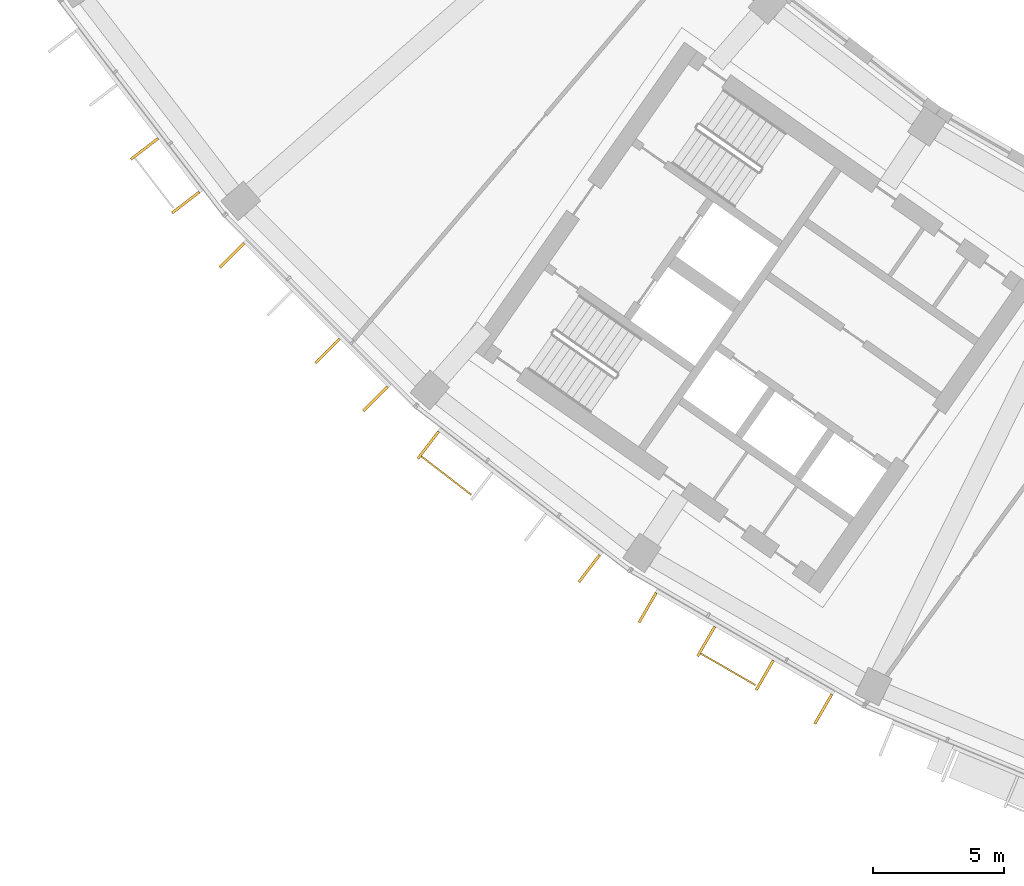
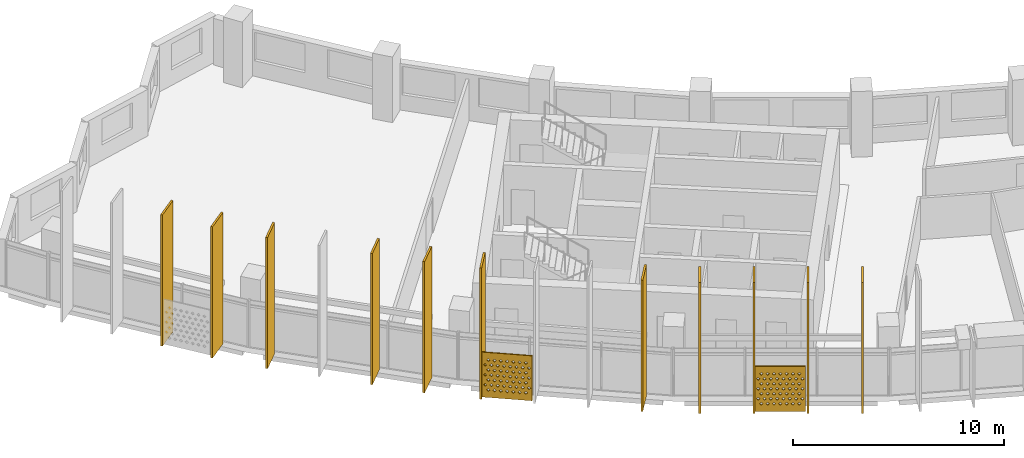
# One storey, part 22 of 28: 13 shading devices.
"""IFC4 building model written with IfcOpenShell, lengths in metres."""

from ifc_helpers import new_model, si_unit, direction, frame, origin, origin_2d, place, context, subcontext, project, spatial, polyline, rectangle, outline, extrude, material, material_profile, profile_set, type_object, element, save


model = new_model("IFC4")

# Units and contexts
model_context = context("Model", 3, precision=1e-05, world=origin(), true_north=direction((0.0, 1.0)))
body_context = subcontext(model_context, "Body", "Model", "MODEL_VIEW")
ifc_project = project(units=[si_unit("LENGTHUNIT", "METRE"), si_unit("AREAUNIT", "SQUARE_METRE"), si_unit("VOLUMEUNIT", "CUBIC_METRE"), si_unit("PLANEANGLEUNIT", "RADIAN"), si_unit("MASSUNIT", "GRAM", prefix="KILO")], contexts=[model_context])

# Site, building, storey
site_placement = place(None, origin())
site = spatial("IfcSite", under=ifc_project, at=site_placement, CompositionType="ELEMENT")
building_placement = place(site_placement, origin())
building = spatial("IfcBuilding", under=site, at=building_placement, Name="Qamariyya Broadcast Tower", CompositionType="ELEMENT")
storey_placement = place(building_placement, frame((0.0, 0.0, 226.5)))
storey = spatial("IfcBuildingStorey", under=building, at=storey_placement, Name="L54", CompositionType="ELEMENT", Elevation=226.5)

# Shading devices
ifc_material_1 = material(Name="Perforated glazed terracotta", Category="masonry")
ifc_material_profile_1 = material_profile(ifc_material_1, outline(polyline([(-1.199951171875, -1.300048828125), (1.199951171875, -1.300048828125), (1.199951171875, 1.300048828125), (-1.199951171875, 1.300048828125), (-1.199951171875, -1.300048828125)]), holes=[polyline([(-0.81494140625, -0.86669921875), (-0.89990234375, -0.78173828125), (-0.985107421875, -0.86669921875), (-0.89990234375, -0.95166015625), (-0.81494140625, -0.86669921875)]), polyline([(-0.514892578125, -0.86669921875), (-0.60009765625, -0.78173828125), (-0.68505859375, -0.86669921875), (-0.60009765625, -0.95166015625), (-0.514892578125, -0.86669921875)]), polyline([(-0.215087890625, -0.86669921875), (-0.300048828125, -0.78173828125), (-0.385009765625, -0.86669921875), (-0.300048828125, -0.95166015625), (-0.215087890625, -0.86669921875)]), polyline([(0.0849609375, -0.86669921875), (0.0, -0.78173828125), (-0.0849609375, -0.86669921875), (0.0, -0.95166015625), (0.0849609375, -0.86669921875)]), polyline([(0.385009765625, -0.86669921875), (0.300048828125, -0.78173828125), (0.215087890625, -0.86669921875), (0.300048828125, -0.95166015625), (0.385009765625, -0.86669921875)]), polyline([(0.68505859375, -0.86669921875), (0.60009765625, -0.78173828125), (0.514892578125, -0.86669921875), (0.60009765625, -0.95166015625), (0.68505859375, -0.86669921875)]), polyline([(0.985107421875, -0.86669921875), (0.89990234375, -0.78173828125), (0.81494140625, -0.86669921875), (0.89990234375, -0.95166015625), (0.985107421875, -0.86669921875)]), polyline([(-0.965087890625, -0.577880859375), (-1.050048828125, -0.49267578125), (-1.135009765625, -0.577880859375), (-1.050048828125, -0.662841796875), (-0.965087890625, -0.577880859375)]), polyline([(-0.6650390625, -0.577880859375), (-0.75, -0.49267578125), (-0.8349609375, -0.577880859375), (-0.75, -0.662841796875), (-0.6650390625, -0.577880859375)]), polyline([(-0.364990234375, -0.577880859375), (-0.449951171875, -0.49267578125), (-0.534912109375, -0.577880859375), (-0.449951171875, -0.662841796875), (-0.364990234375, -0.577880859375)]), polyline([(-0.06494140625, -0.577880859375), (-0.14990234375, -0.49267578125), (-0.235107421875, -0.577880859375), (-0.14990234375, -0.662841796875), (-0.06494140625, -0.577880859375)]), polyline([(0.235107421875, -0.577880859375), (0.14990234375, -0.49267578125), (0.06494140625, -0.577880859375), (0.14990234375, -0.662841796875), (0.235107421875, -0.577880859375)]), polyline([(0.534912109375, -0.577880859375), (0.449951171875, -0.49267578125), (0.364990234375, -0.577880859375), (0.449951171875, -0.662841796875), (0.534912109375, -0.577880859375)]), polyline([(0.8349609375, -0.577880859375), (0.75, -0.49267578125), (0.6650390625, -0.577880859375), (0.75, -0.662841796875), (0.8349609375, -0.577880859375)]), polyline([(1.135009765625, -0.577880859375), (1.050048828125, -0.49267578125), (0.965087890625, -0.577880859375), (1.050048828125, -0.662841796875), (1.135009765625, -0.577880859375)]), polyline([(-0.81494140625, -0.288818359375), (-0.89990234375, -0.203857421875), (-0.985107421875, -0.288818359375), (-0.89990234375, -0.373779296875), (-0.81494140625, -0.288818359375)]), polyline([(-0.514892578125, -0.288818359375), (-0.60009765625, -0.203857421875), (-0.68505859375, -0.288818359375), (-0.60009765625, -0.373779296875), (-0.514892578125, -0.288818359375)]), polyline([(-0.215087890625, -0.288818359375), (-0.300048828125, -0.203857421875), (-0.385009765625, -0.288818359375), (-0.300048828125, -0.373779296875), (-0.215087890625, -0.288818359375)]), polyline([(0.0849609375, -0.288818359375), (0.0, -0.203857421875), (-0.0849609375, -0.288818359375), (0.0, -0.373779296875), (0.0849609375, -0.288818359375)]), polyline([(0.385009765625, -0.288818359375), (0.300048828125, -0.203857421875), (0.215087890625, -0.288818359375), (0.300048828125, -0.373779296875), (0.385009765625, -0.288818359375)]), polyline([(0.68505859375, -0.288818359375), (0.60009765625, -0.203857421875), (0.514892578125, -0.288818359375), (0.60009765625, -0.373779296875), (0.68505859375, -0.288818359375)]), polyline([(0.985107421875, -0.288818359375), (0.89990234375, -0.203857421875), (0.81494140625, -0.288818359375), (0.89990234375, -0.373779296875), (0.985107421875, -0.288818359375)]), polyline([(-0.965087890625, 0.0), (-1.050048828125, 0.0849609375), (-1.135009765625, 0.0), (-1.050048828125, -0.0849609375), (-0.965087890625, 0.0)]), polyline([(-0.6650390625, 0.0), (-0.75, 0.0849609375), (-0.8349609375, 0.0), (-0.75, -0.0849609375), (-0.6650390625, 0.0)]), polyline([(-0.364990234375, 0.0), (-0.449951171875, 0.0849609375), (-0.534912109375, 0.0), (-0.449951171875, -0.0849609375), (-0.364990234375, 0.0)]), polyline([(-0.06494140625, 0.0), (-0.14990234375, 0.0849609375), (-0.235107421875, 0.0), (-0.14990234375, -0.0849609375), (-0.06494140625, 0.0)]), polyline([(0.235107421875, 0.0), (0.14990234375, 0.0849609375), (0.06494140625, 0.0), (0.14990234375, -0.0849609375), (0.235107421875, 0.0)]), polyline([(0.534912109375, 0.0), (0.449951171875, 0.0849609375), (0.364990234375, 0.0), (0.449951171875, -0.0849609375), (0.534912109375, 0.0)]), polyline([(0.8349609375, 0.0), (0.75, 0.0849609375), (0.6650390625, 0.0), (0.75, -0.0849609375), (0.8349609375, 0.0)]), polyline([(1.135009765625, 0.0), (1.050048828125, 0.0849609375), (0.965087890625, 0.0), (1.050048828125, -0.0849609375), (1.135009765625, 0.0)]), polyline([(-0.81494140625, 0.288818359375), (-0.89990234375, 0.373779296875), (-0.985107421875, 0.288818359375), (-0.89990234375, 0.203857421875), (-0.81494140625, 0.288818359375)]), polyline([(-0.514892578125, 0.288818359375), (-0.60009765625, 0.373779296875), (-0.68505859375, 0.288818359375), (-0.60009765625, 0.203857421875), (-0.514892578125, 0.288818359375)]), polyline([(-0.215087890625, 0.288818359375), (-0.300048828125, 0.373779296875), (-0.385009765625, 0.288818359375), (-0.300048828125, 0.203857421875), (-0.215087890625, 0.288818359375)]), polyline([(0.0849609375, 0.288818359375), (0.0, 0.373779296875), (-0.0849609375, 0.288818359375), (0.0, 0.203857421875), (0.0849609375, 0.288818359375)]), polyline([(0.385009765625, 0.288818359375), (0.300048828125, 0.373779296875), (0.215087890625, 0.288818359375), (0.300048828125, 0.203857421875), (0.385009765625, 0.288818359375)]), polyline([(0.68505859375, 0.288818359375), (0.60009765625, 0.373779296875), (0.514892578125, 0.288818359375), (0.60009765625, 0.203857421875), (0.68505859375, 0.288818359375)]), polyline([(0.985107421875, 0.288818359375), (0.89990234375, 0.373779296875), (0.81494140625, 0.288818359375), (0.89990234375, 0.203857421875), (0.985107421875, 0.288818359375)]), polyline([(-0.965087890625, 0.577880859375), (-1.050048828125, 0.662841796875), (-1.135009765625, 0.577880859375), (-1.050048828125, 0.49267578125), (-0.965087890625, 0.577880859375)]), polyline([(-0.6650390625, 0.577880859375), (-0.75, 0.662841796875), (-0.8349609375, 0.577880859375), (-0.75, 0.49267578125), (-0.6650390625, 0.577880859375)]), polyline([(-0.364990234375, 0.577880859375), (-0.449951171875, 0.662841796875), (-0.534912109375, 0.577880859375), (-0.449951171875, 0.49267578125), (-0.364990234375, 0.577880859375)]), polyline([(-0.06494140625, 0.577880859375), (-0.14990234375, 0.662841796875), (-0.235107421875, 0.577880859375), (-0.14990234375, 0.49267578125), (-0.06494140625, 0.577880859375)]), polyline([(0.235107421875, 0.577880859375), (0.14990234375, 0.662841796875), (0.06494140625, 0.577880859375), (0.14990234375, 0.49267578125), (0.235107421875, 0.577880859375)]), polyline([(0.534912109375, 0.577880859375), (0.449951171875, 0.662841796875), (0.364990234375, 0.577880859375), (0.449951171875, 0.49267578125), (0.534912109375, 0.577880859375)]), polyline([(0.8349609375, 0.577880859375), (0.75, 0.662841796875), (0.6650390625, 0.577880859375), (0.75, 0.49267578125), (0.8349609375, 0.577880859375)]), polyline([(1.135009765625, 0.577880859375), (1.050048828125, 0.662841796875), (0.965087890625, 0.577880859375), (1.050048828125, 0.49267578125), (1.135009765625, 0.577880859375)]), polyline([(-0.81494140625, 0.86669921875), (-0.89990234375, 0.95166015625), (-0.985107421875, 0.86669921875), (-0.89990234375, 0.78173828125), (-0.81494140625, 0.86669921875)]), polyline([(-0.514892578125, 0.86669921875), (-0.60009765625, 0.95166015625), (-0.68505859375, 0.86669921875), (-0.60009765625, 0.78173828125), (-0.514892578125, 0.86669921875)]), polyline([(-0.215087890625, 0.86669921875), (-0.300048828125, 0.95166015625), (-0.385009765625, 0.86669921875), (-0.300048828125, 0.78173828125), (-0.215087890625, 0.86669921875)]), polyline([(0.0849609375, 0.86669921875), (0.0, 0.95166015625), (-0.0849609375, 0.86669921875), (0.0, 0.78173828125), (0.0849609375, 0.86669921875)]), polyline([(0.385009765625, 0.86669921875), (0.300048828125, 0.95166015625), (0.215087890625, 0.86669921875), (0.300048828125, 0.78173828125), (0.385009765625, 0.86669921875)]), polyline([(0.68505859375, 0.86669921875), (0.60009765625, 0.95166015625), (0.514892578125, 0.86669921875), (0.60009765625, 0.78173828125), (0.68505859375, 0.86669921875)]), polyline([(0.985107421875, 0.86669921875), (0.89990234375, 0.95166015625), (0.81494140625, 0.86669921875), (0.89990234375, 0.78173828125), (0.985107421875, 0.86669921875)])]))
ifc_profile_set_1 = profile_set([ifc_material_profile_1], Name="Perforated glazed terracotta")
shading_device_type_1 = type_object("IfcShadingDeviceType", Name="Perforated terracotta screen 2400 x 2600", PredefinedType="USERDEFINED", material=ifc_profile_set_1)
shading_device_1_placement = place(storey_placement, frame((-50.61865234375, -61.68359375, 1.35009765625), z_axis=(-0.60971076085, -0.792623989105, 0.0), x_axis=(0.792623989105, -0.60971076085, 0.0)))
element("IfcShadingDevice", 1, at=shading_device_1_placement, inside=storey, type_object=shading_device_type_1, Name="e-scr-L54-03-0", ObjectType="SCREEN", PredefinedType="USERDEFINED", context=body_context, shape_type="SweptSolid", body=[
    extrude(outline(polyline([(-1.199951171875, -1.300048828125), (1.199951171875, -1.300048828125), (1.199951171875, 1.300048828125), (-1.199951171875, 1.300048828125), (-1.199951171875, -1.300048828125)]), holes=[polyline([(-0.81494140625, -0.86669921875), (-0.89990234375, -0.78173828125), (-0.985107421875, -0.86669921875), (-0.89990234375, -0.95166015625), (-0.81494140625, -0.86669921875)]), polyline([(-0.514892578125, -0.86669921875), (-0.60009765625, -0.78173828125), (-0.68505859375, -0.86669921875), (-0.60009765625, -0.95166015625), (-0.514892578125, -0.86669921875)]), polyline([(-0.215087890625, -0.86669921875), (-0.300048828125, -0.78173828125), (-0.385009765625, -0.86669921875), (-0.300048828125, -0.95166015625), (-0.215087890625, -0.86669921875)]), polyline([(0.0849609375, -0.86669921875), (0.0, -0.78173828125), (-0.0849609375, -0.86669921875), (0.0, -0.95166015625), (0.0849609375, -0.86669921875)]), polyline([(0.385009765625, -0.86669921875), (0.300048828125, -0.78173828125), (0.215087890625, -0.86669921875), (0.300048828125, -0.95166015625), (0.385009765625, -0.86669921875)]), polyline([(0.68505859375, -0.86669921875), (0.60009765625, -0.78173828125), (0.514892578125, -0.86669921875), (0.60009765625, -0.95166015625), (0.68505859375, -0.86669921875)]), polyline([(0.985107421875, -0.86669921875), (0.89990234375, -0.78173828125), (0.81494140625, -0.86669921875), (0.89990234375, -0.95166015625), (0.985107421875, -0.86669921875)]), polyline([(-0.965087890625, -0.577880859375), (-1.050048828125, -0.49267578125), (-1.135009765625, -0.577880859375), (-1.050048828125, -0.662841796875), (-0.965087890625, -0.577880859375)]), polyline([(-0.6650390625, -0.577880859375), (-0.75, -0.49267578125), (-0.8349609375, -0.577880859375), (-0.75, -0.662841796875), (-0.6650390625, -0.577880859375)]), polyline([(-0.364990234375, -0.577880859375), (-0.449951171875, -0.49267578125), (-0.534912109375, -0.577880859375), (-0.449951171875, -0.662841796875), (-0.364990234375, -0.577880859375)]), polyline([(-0.06494140625, -0.577880859375), (-0.14990234375, -0.49267578125), (-0.235107421875, -0.577880859375), (-0.14990234375, -0.662841796875), (-0.06494140625, -0.577880859375)]), polyline([(0.235107421875, -0.577880859375), (0.14990234375, -0.49267578125), (0.06494140625, -0.577880859375), (0.14990234375, -0.662841796875), (0.235107421875, -0.577880859375)]), polyline([(0.534912109375, -0.577880859375), (0.449951171875, -0.49267578125), (0.364990234375, -0.577880859375), (0.449951171875, -0.662841796875), (0.534912109375, -0.577880859375)]), polyline([(0.8349609375, -0.577880859375), (0.75, -0.49267578125), (0.6650390625, -0.577880859375), (0.75, -0.662841796875), (0.8349609375, -0.577880859375)]), polyline([(1.135009765625, -0.577880859375), (1.050048828125, -0.49267578125), (0.965087890625, -0.577880859375), (1.050048828125, -0.662841796875), (1.135009765625, -0.577880859375)]), polyline([(-0.81494140625, -0.288818359375), (-0.89990234375, -0.203857421875), (-0.985107421875, -0.288818359375), (-0.89990234375, -0.373779296875), (-0.81494140625, -0.288818359375)]), polyline([(-0.514892578125, -0.288818359375), (-0.60009765625, -0.203857421875), (-0.68505859375, -0.288818359375), (-0.60009765625, -0.373779296875), (-0.514892578125, -0.288818359375)]), polyline([(-0.215087890625, -0.288818359375), (-0.300048828125, -0.203857421875), (-0.385009765625, -0.288818359375), (-0.300048828125, -0.373779296875), (-0.215087890625, -0.288818359375)]), polyline([(0.0849609375, -0.288818359375), (0.0, -0.203857421875), (-0.0849609375, -0.288818359375), (0.0, -0.373779296875), (0.0849609375, -0.288818359375)]), polyline([(0.385009765625, -0.288818359375), (0.300048828125, -0.203857421875), (0.215087890625, -0.288818359375), (0.300048828125, -0.373779296875), (0.385009765625, -0.288818359375)]), polyline([(0.68505859375, -0.288818359375), (0.60009765625, -0.203857421875), (0.514892578125, -0.288818359375), (0.60009765625, -0.373779296875), (0.68505859375, -0.288818359375)]), polyline([(0.985107421875, -0.288818359375), (0.89990234375, -0.203857421875), (0.81494140625, -0.288818359375), (0.89990234375, -0.373779296875), (0.985107421875, -0.288818359375)]), polyline([(-0.965087890625, 0.0), (-1.050048828125, 0.0849609375), (-1.135009765625, 0.0), (-1.050048828125, -0.0849609375), (-0.965087890625, 0.0)]), polyline([(-0.6650390625, 0.0), (-0.75, 0.0849609375), (-0.8349609375, 0.0), (-0.75, -0.0849609375), (-0.6650390625, 0.0)]), polyline([(-0.364990234375, 0.0), (-0.449951171875, 0.0849609375), (-0.534912109375, 0.0), (-0.449951171875, -0.0849609375), (-0.364990234375, 0.0)]), polyline([(-0.06494140625, 0.0), (-0.14990234375, 0.0849609375), (-0.235107421875, 0.0), (-0.14990234375, -0.0849609375), (-0.06494140625, 0.0)]), polyline([(0.235107421875, 0.0), (0.14990234375, 0.0849609375), (0.06494140625, 0.0), (0.14990234375, -0.0849609375), (0.235107421875, 0.0)]), polyline([(0.534912109375, 0.0), (0.449951171875, 0.0849609375), (0.364990234375, 0.0), (0.449951171875, -0.0849609375), (0.534912109375, 0.0)]), polyline([(0.8349609375, 0.0), (0.75, 0.0849609375), (0.6650390625, 0.0), (0.75, -0.0849609375), (0.8349609375, 0.0)]), polyline([(1.135009765625, 0.0), (1.050048828125, 0.0849609375), (0.965087890625, 0.0), (1.050048828125, -0.0849609375), (1.135009765625, 0.0)]), polyline([(-0.81494140625, 0.288818359375), (-0.89990234375, 0.373779296875), (-0.985107421875, 0.288818359375), (-0.89990234375, 0.203857421875), (-0.81494140625, 0.288818359375)]), polyline([(-0.514892578125, 0.288818359375), (-0.60009765625, 0.373779296875), (-0.68505859375, 0.288818359375), (-0.60009765625, 0.203857421875), (-0.514892578125, 0.288818359375)]), polyline([(-0.215087890625, 0.288818359375), (-0.300048828125, 0.373779296875), (-0.385009765625, 0.288818359375), (-0.300048828125, 0.203857421875), (-0.215087890625, 0.288818359375)]), polyline([(0.0849609375, 0.288818359375), (0.0, 0.373779296875), (-0.0849609375, 0.288818359375), (0.0, 0.203857421875), (0.0849609375, 0.288818359375)]), polyline([(0.385009765625, 0.288818359375), (0.300048828125, 0.373779296875), (0.215087890625, 0.288818359375), (0.300048828125, 0.203857421875), (0.385009765625, 0.288818359375)]), polyline([(0.68505859375, 0.288818359375), (0.60009765625, 0.373779296875), (0.514892578125, 0.288818359375), (0.60009765625, 0.203857421875), (0.68505859375, 0.288818359375)]), polyline([(0.985107421875, 0.288818359375), (0.89990234375, 0.373779296875), (0.81494140625, 0.288818359375), (0.89990234375, 0.203857421875), (0.985107421875, 0.288818359375)]), polyline([(-0.965087890625, 0.577880859375), (-1.050048828125, 0.662841796875), (-1.135009765625, 0.577880859375), (-1.050048828125, 0.49267578125), (-0.965087890625, 0.577880859375)]), polyline([(-0.6650390625, 0.577880859375), (-0.75, 0.662841796875), (-0.8349609375, 0.577880859375), (-0.75, 0.49267578125), (-0.6650390625, 0.577880859375)]), polyline([(-0.364990234375, 0.577880859375), (-0.449951171875, 0.662841796875), (-0.534912109375, 0.577880859375), (-0.449951171875, 0.49267578125), (-0.364990234375, 0.577880859375)]), polyline([(-0.06494140625, 0.577880859375), (-0.14990234375, 0.662841796875), (-0.235107421875, 0.577880859375), (-0.14990234375, 0.49267578125), (-0.06494140625, 0.577880859375)]), polyline([(0.235107421875, 0.577880859375), (0.14990234375, 0.662841796875), (0.06494140625, 0.577880859375), (0.14990234375, 0.49267578125), (0.235107421875, 0.577880859375)]), polyline([(0.534912109375, 0.577880859375), (0.449951171875, 0.662841796875), (0.364990234375, 0.577880859375), (0.449951171875, 0.49267578125), (0.534912109375, 0.577880859375)]), polyline([(0.8349609375, 0.577880859375), (0.75, 0.662841796875), (0.6650390625, 0.577880859375), (0.75, 0.49267578125), (0.8349609375, 0.577880859375)]), polyline([(1.135009765625, 0.577880859375), (1.050048828125, 0.662841796875), (0.965087890625, 0.577880859375), (1.050048828125, 0.49267578125), (1.135009765625, 0.577880859375)]), polyline([(-0.81494140625, 0.86669921875), (-0.89990234375, 0.95166015625), (-0.985107421875, 0.86669921875), (-0.89990234375, 0.78173828125), (-0.81494140625, 0.86669921875)]), polyline([(-0.514892578125, 0.86669921875), (-0.60009765625, 0.95166015625), (-0.68505859375, 0.86669921875), (-0.60009765625, 0.78173828125), (-0.514892578125, 0.86669921875)]), polyline([(-0.215087890625, 0.86669921875), (-0.300048828125, 0.95166015625), (-0.385009765625, 0.86669921875), (-0.300048828125, 0.78173828125), (-0.215087890625, 0.86669921875)]), polyline([(0.0849609375, 0.86669921875), (0.0, 0.95166015625), (-0.0849609375, 0.86669921875), (0.0, 0.78173828125), (0.0849609375, 0.86669921875)]), polyline([(0.385009765625, 0.86669921875), (0.300048828125, 0.95166015625), (0.215087890625, 0.86669921875), (0.300048828125, 0.78173828125), (0.385009765625, 0.86669921875)]), polyline([(0.68505859375, 0.86669921875), (0.60009765625, 0.95166015625), (0.514892578125, 0.86669921875), (0.60009765625, 0.78173828125), (0.68505859375, 0.86669921875)]), polyline([(0.985107421875, 0.86669921875), (0.89990234375, 0.95166015625), (0.81494140625, 0.86669921875), (0.89990234375, 0.78173828125), (0.985107421875, 0.86669921875)])]), origin(), (0.0, 0.0, 1.0), 0.06005859375),
])
shading_device_2_placement = place(storey_placement, frame((-39.906982421875, -69.048828125, 1.35009765625), z_axis=(-0.500074377092, -0.865982457891, 0.0), x_axis=(0.865982457891, -0.500074377092, 0.0)))
element("IfcShadingDevice", 2, at=shading_device_2_placement, inside=storey, type_object=shading_device_type_1, Name="e-scr-L54-04-1", ObjectType="SCREEN", PredefinedType="USERDEFINED", context=body_context, shape_type="SweptSolid", body=[
    extrude(outline(polyline([(-1.199951171875, -1.300048828125), (1.199951171875, -1.300048828125), (1.199951171875, 1.300048828125), (-1.199951171875, 1.300048828125), (-1.199951171875, -1.300048828125)]), holes=[polyline([(-0.81494140625, -0.86669921875), (-0.89990234375, -0.78173828125), (-0.985107421875, -0.86669921875), (-0.89990234375, -0.95166015625), (-0.81494140625, -0.86669921875)]), polyline([(-0.514892578125, -0.86669921875), (-0.60009765625, -0.78173828125), (-0.68505859375, -0.86669921875), (-0.60009765625, -0.95166015625), (-0.514892578125, -0.86669921875)]), polyline([(-0.215087890625, -0.86669921875), (-0.300048828125, -0.78173828125), (-0.385009765625, -0.86669921875), (-0.300048828125, -0.95166015625), (-0.215087890625, -0.86669921875)]), polyline([(0.0849609375, -0.86669921875), (0.0, -0.78173828125), (-0.0849609375, -0.86669921875), (0.0, -0.95166015625), (0.0849609375, -0.86669921875)]), polyline([(0.385009765625, -0.86669921875), (0.300048828125, -0.78173828125), (0.215087890625, -0.86669921875), (0.300048828125, -0.95166015625), (0.385009765625, -0.86669921875)]), polyline([(0.68505859375, -0.86669921875), (0.60009765625, -0.78173828125), (0.514892578125, -0.86669921875), (0.60009765625, -0.95166015625), (0.68505859375, -0.86669921875)]), polyline([(0.985107421875, -0.86669921875), (0.89990234375, -0.78173828125), (0.81494140625, -0.86669921875), (0.89990234375, -0.95166015625), (0.985107421875, -0.86669921875)]), polyline([(-0.965087890625, -0.577880859375), (-1.050048828125, -0.49267578125), (-1.135009765625, -0.577880859375), (-1.050048828125, -0.662841796875), (-0.965087890625, -0.577880859375)]), polyline([(-0.6650390625, -0.577880859375), (-0.75, -0.49267578125), (-0.8349609375, -0.577880859375), (-0.75, -0.662841796875), (-0.6650390625, -0.577880859375)]), polyline([(-0.364990234375, -0.577880859375), (-0.449951171875, -0.49267578125), (-0.534912109375, -0.577880859375), (-0.449951171875, -0.662841796875), (-0.364990234375, -0.577880859375)]), polyline([(-0.06494140625, -0.577880859375), (-0.14990234375, -0.49267578125), (-0.235107421875, -0.577880859375), (-0.14990234375, -0.662841796875), (-0.06494140625, -0.577880859375)]), polyline([(0.235107421875, -0.577880859375), (0.14990234375, -0.49267578125), (0.06494140625, -0.577880859375), (0.14990234375, -0.662841796875), (0.235107421875, -0.577880859375)]), polyline([(0.534912109375, -0.577880859375), (0.449951171875, -0.49267578125), (0.364990234375, -0.577880859375), (0.449951171875, -0.662841796875), (0.534912109375, -0.577880859375)]), polyline([(0.8349609375, -0.577880859375), (0.75, -0.49267578125), (0.6650390625, -0.577880859375), (0.75, -0.662841796875), (0.8349609375, -0.577880859375)]), polyline([(1.135009765625, -0.577880859375), (1.050048828125, -0.49267578125), (0.965087890625, -0.577880859375), (1.050048828125, -0.662841796875), (1.135009765625, -0.577880859375)]), polyline([(-0.81494140625, -0.288818359375), (-0.89990234375, -0.203857421875), (-0.985107421875, -0.288818359375), (-0.89990234375, -0.373779296875), (-0.81494140625, -0.288818359375)]), polyline([(-0.514892578125, -0.288818359375), (-0.60009765625, -0.203857421875), (-0.68505859375, -0.288818359375), (-0.60009765625, -0.373779296875), (-0.514892578125, -0.288818359375)]), polyline([(-0.215087890625, -0.288818359375), (-0.300048828125, -0.203857421875), (-0.385009765625, -0.288818359375), (-0.300048828125, -0.373779296875), (-0.215087890625, -0.288818359375)]), polyline([(0.0849609375, -0.288818359375), (0.0, -0.203857421875), (-0.0849609375, -0.288818359375), (0.0, -0.373779296875), (0.0849609375, -0.288818359375)]), polyline([(0.385009765625, -0.288818359375), (0.300048828125, -0.203857421875), (0.215087890625, -0.288818359375), (0.300048828125, -0.373779296875), (0.385009765625, -0.288818359375)]), polyline([(0.68505859375, -0.288818359375), (0.60009765625, -0.203857421875), (0.514892578125, -0.288818359375), (0.60009765625, -0.373779296875), (0.68505859375, -0.288818359375)]), polyline([(0.985107421875, -0.288818359375), (0.89990234375, -0.203857421875), (0.81494140625, -0.288818359375), (0.89990234375, -0.373779296875), (0.985107421875, -0.288818359375)]), polyline([(-0.965087890625, 0.0), (-1.050048828125, 0.0849609375), (-1.135009765625, 0.0), (-1.050048828125, -0.0849609375), (-0.965087890625, 0.0)]), polyline([(-0.6650390625, 0.0), (-0.75, 0.0849609375), (-0.8349609375, 0.0), (-0.75, -0.0849609375), (-0.6650390625, 0.0)]), polyline([(-0.364990234375, 0.0), (-0.449951171875, 0.0849609375), (-0.534912109375, 0.0), (-0.449951171875, -0.0849609375), (-0.364990234375, 0.0)]), polyline([(-0.06494140625, 0.0), (-0.14990234375, 0.0849609375), (-0.235107421875, 0.0), (-0.14990234375, -0.0849609375), (-0.06494140625, 0.0)]), polyline([(0.235107421875, 0.0), (0.14990234375, 0.0849609375), (0.06494140625, 0.0), (0.14990234375, -0.0849609375), (0.235107421875, 0.0)]), polyline([(0.534912109375, 0.0), (0.449951171875, 0.0849609375), (0.364990234375, 0.0), (0.449951171875, -0.0849609375), (0.534912109375, 0.0)]), polyline([(0.8349609375, 0.0), (0.75, 0.0849609375), (0.6650390625, 0.0), (0.75, -0.0849609375), (0.8349609375, 0.0)]), polyline([(1.135009765625, 0.0), (1.050048828125, 0.0849609375), (0.965087890625, 0.0), (1.050048828125, -0.0849609375), (1.135009765625, 0.0)]), polyline([(-0.81494140625, 0.288818359375), (-0.89990234375, 0.373779296875), (-0.985107421875, 0.288818359375), (-0.89990234375, 0.203857421875), (-0.81494140625, 0.288818359375)]), polyline([(-0.514892578125, 0.288818359375), (-0.60009765625, 0.373779296875), (-0.68505859375, 0.288818359375), (-0.60009765625, 0.203857421875), (-0.514892578125, 0.288818359375)]), polyline([(-0.215087890625, 0.288818359375), (-0.300048828125, 0.373779296875), (-0.385009765625, 0.288818359375), (-0.300048828125, 0.203857421875), (-0.215087890625, 0.288818359375)]), polyline([(0.0849609375, 0.288818359375), (0.0, 0.373779296875), (-0.0849609375, 0.288818359375), (0.0, 0.203857421875), (0.0849609375, 0.288818359375)]), polyline([(0.385009765625, 0.288818359375), (0.300048828125, 0.373779296875), (0.215087890625, 0.288818359375), (0.300048828125, 0.203857421875), (0.385009765625, 0.288818359375)]), polyline([(0.68505859375, 0.288818359375), (0.60009765625, 0.373779296875), (0.514892578125, 0.288818359375), (0.60009765625, 0.203857421875), (0.68505859375, 0.288818359375)]), polyline([(0.985107421875, 0.288818359375), (0.89990234375, 0.373779296875), (0.81494140625, 0.288818359375), (0.89990234375, 0.203857421875), (0.985107421875, 0.288818359375)]), polyline([(-0.965087890625, 0.577880859375), (-1.050048828125, 0.662841796875), (-1.135009765625, 0.577880859375), (-1.050048828125, 0.49267578125), (-0.965087890625, 0.577880859375)]), polyline([(-0.6650390625, 0.577880859375), (-0.75, 0.662841796875), (-0.8349609375, 0.577880859375), (-0.75, 0.49267578125), (-0.6650390625, 0.577880859375)]), polyline([(-0.364990234375, 0.577880859375), (-0.449951171875, 0.662841796875), (-0.534912109375, 0.577880859375), (-0.449951171875, 0.49267578125), (-0.364990234375, 0.577880859375)]), polyline([(-0.06494140625, 0.577880859375), (-0.14990234375, 0.662841796875), (-0.235107421875, 0.577880859375), (-0.14990234375, 0.49267578125), (-0.06494140625, 0.577880859375)]), polyline([(0.235107421875, 0.577880859375), (0.14990234375, 0.662841796875), (0.06494140625, 0.577880859375), (0.14990234375, 0.49267578125), (0.235107421875, 0.577880859375)]), polyline([(0.534912109375, 0.577880859375), (0.449951171875, 0.662841796875), (0.364990234375, 0.577880859375), (0.449951171875, 0.49267578125), (0.534912109375, 0.577880859375)]), polyline([(0.8349609375, 0.577880859375), (0.75, 0.662841796875), (0.6650390625, 0.577880859375), (0.75, 0.49267578125), (0.8349609375, 0.577880859375)]), polyline([(1.135009765625, 0.577880859375), (1.050048828125, 0.662841796875), (0.965087890625, 0.577880859375), (1.050048828125, 0.49267578125), (1.135009765625, 0.577880859375)]), polyline([(-0.81494140625, 0.86669921875), (-0.89990234375, 0.95166015625), (-0.985107421875, 0.86669921875), (-0.89990234375, 0.78173828125), (-0.81494140625, 0.86669921875)]), polyline([(-0.514892578125, 0.86669921875), (-0.60009765625, 0.95166015625), (-0.68505859375, 0.86669921875), (-0.60009765625, 0.78173828125), (-0.514892578125, 0.86669921875)]), polyline([(-0.215087890625, 0.86669921875), (-0.300048828125, 0.95166015625), (-0.385009765625, 0.86669921875), (-0.300048828125, 0.78173828125), (-0.215087890625, 0.86669921875)]), polyline([(0.0849609375, 0.86669921875), (0.0, 0.95166015625), (-0.0849609375, 0.86669921875), (0.0, 0.78173828125), (0.0849609375, 0.86669921875)]), polyline([(0.385009765625, 0.86669921875), (0.300048828125, 0.95166015625), (0.215087890625, 0.86669921875), (0.300048828125, 0.78173828125), (0.385009765625, 0.86669921875)]), polyline([(0.68505859375, 0.86669921875), (0.60009765625, 0.95166015625), (0.514892578125, 0.86669921875), (0.60009765625, 0.78173828125), (0.68505859375, 0.86669921875)]), polyline([(0.985107421875, 0.86669921875), (0.89990234375, 0.95166015625), (0.81494140625, 0.86669921875), (0.89990234375, 0.78173828125), (0.985107421875, 0.86669921875)])]), origin(), (0.0, 0.0, 1.0), 0.06005859375),
])
ifc_material_2 = material(Name="Glazed terracotta", Category="masonry")
ifc_material_profile_2 = material_profile(ifc_material_2, rectangle(XDim=1.300048828125, YDim=0.10009765625, at=origin_2d()))
ifc_profile_set_2 = profile_set([ifc_material_profile_2], Name="Glazed terracotta")
shading_device_type_2 = type_object("IfcShadingDeviceType", Name="Terracotta fin 100 x 1300", PredefinedType="USERDEFINED", material=ifc_profile_set_2)
for number, where, z_axis, x_axis, name in (
    (3, (-62.115478515625, -49.283935546875, 0.0), (0.0, 0.0, 1.0), (-0.793353340291, -0.608761429009, 0.0), "e-fin-L54-01-2"),
    (4, (-60.5498046875, -51.32421875, 0.0), (0.0, 0.0, 1.0), (-0.793353340291, -0.608761429009, 0.0), "e-fin-L54-01-3"),
    (5, (-58.78857421875, -53.33251953125, 0.0), (0.0, 0.0, 1.0), (-0.707106781187, -0.707106781187, 0.0), "e-fin-L54-02-0"),
    (6, (-55.151123046875, -56.969970703125, 0.0), (0.0, 0.0, 1.0), (-0.707106781187, -0.707106781187, 0.0), "e-fin-L54-02-2"),
    (7, (-53.33251953125, -58.78857421875, 0.0), (0.0, 0.0, 1.0), (-0.707106781187, -0.707106781187, 0.0), "e-fin-L54-02-3"),
    (8, (-51.32421875, -60.5498046875, 0.0), (0.0, 0.0, 1.0), (-0.608761429009, -0.793353340291, 0.0), "e-fin-L54-03-0"),
    (9, (-45.202880859375, -65.246826171875, 0.0), (0.0, 0.0, 1.0), (-0.608761429009, -0.793353340291, 0.0), "e-fin-L54-03-3"),
    (10, (-42.98193359375, -66.73095703125, 0.0), (0.0, 0.0, 1.0), (-0.5, -0.866025403784, 0.0), "e-fin-L54-04-0"),
    (11, (-40.75439453125, -68.016845703125, 0.0), (0.0, 0.0, 1.0), (-0.5, -0.866025403784, 0.0), "e-fin-L54-04-1"),
    (12, (-38.527099609375, -69.302978515625, 0.0), (0.0, 0.0, 1.0), (-0.5, -0.866025403784, 0.0), "e-fin-L54-04-2"),
    (13, (-36.2998046875, -70.5888671875, 0.0), (0.0, 0.0, 1.0), (-0.5, -0.866025403784, 0.0), "e-fin-L54-04-3"),
):
    element("IfcShadingDevice", number, at=place(storey_placement, frame(where, z_axis=z_axis, x_axis=x_axis)), inside=storey, type_object=shading_device_type_2, Name=name, ObjectType="FIN", PredefinedType="USERDEFINED", context=body_context, shape_type="SweptSolid", body=[
        extrude(rectangle(XDim=1.300048828125, YDim=0.10009765625, at=origin_2d()), origin(), (0.0, 0.0, 1.0), 7.60009765625),
    ])

save(model, "model.ifc")
